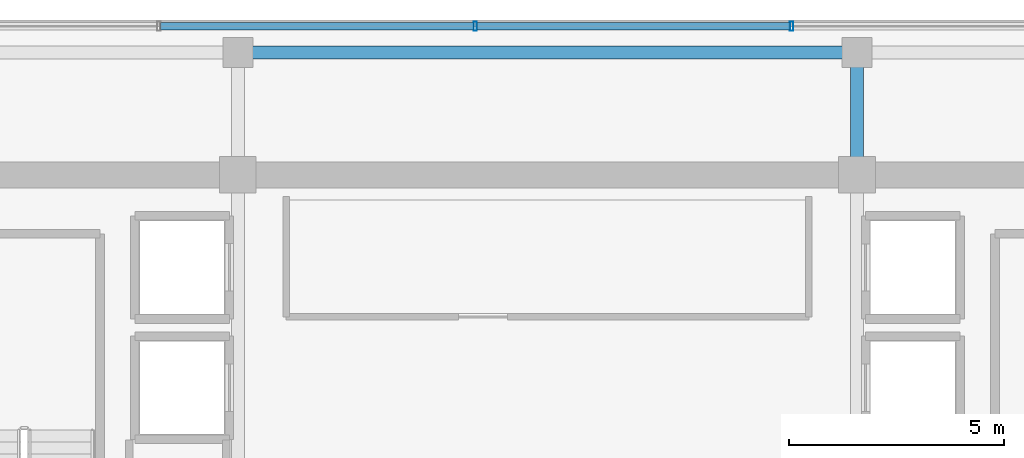
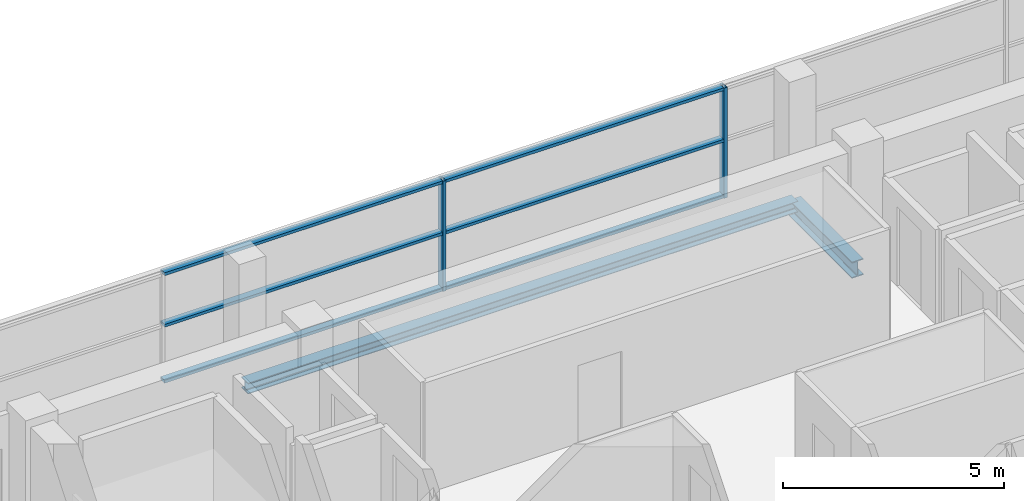
# One storey, part 12 of 21: 8 members, 2 beams, 1 element without a shape of its own.
"""IFC4 building model written with IfcOpenShell, lengths in metres."""

import ifcopenshell
import ifcopenshell.guid

model = None  # the IFC model being written
_history = None  # IfcOwnerHistory: only IFC2X3 demands one
_inside = {}  # id of a spatial element -> (the spatial element, [elements in it])
_under = {}  # id of a project, library or spatial element -> (it, [spatial elements below it])
_declared = {}  # id of a project -> (the project, [libraries it declares])
_typed = {}  # id of a type object -> (the type object, [elements of that type])
_made_of = {}  # id of a material, layer set ... -> (it, [elements and type objects made of it])


def new_model(schema):
    """Start an empty IFC model of exactly this schema.

    Asked for "IFC4X3", IfcOpenShell would pick the latest addendum, in which some entities
    have other attributes; the version numbers below select the first issue.
    IFC2X3 requires an IfcOwnerHistory on every rooted entity: one is made here for all.
    """
    global model, _history
    if schema == "IFC4X3":
        model = ifcopenshell.file(schema_version=(4, 3, 0, 0))
    else:
        model = ifcopenshell.file(schema=schema)
    _inside.clear()
    _under.clear()
    _declared.clear()
    _typed.clear()
    _made_of.clear()
    _history = None
    if model.schema == "IFC2X3":
        org = make("IfcOrganization", Name="unknown")
        user = make(
            "IfcPersonAndOrganization",
            ThePerson=make("IfcPerson", FamilyName="unknown"),
            TheOrganization=org,
        )
        app = make(
            "IfcApplication",
            ApplicationDeveloper=org,
            Version="unknown",
            ApplicationFullName="unknown",
            ApplicationIdentifier="unknown",
        )
        _history = make(
            "IfcOwnerHistory",
            OwningUser=user,
            OwningApplication=app,
            ChangeAction="ADDED",
            CreationDate=0,
        )
    return model


def make(cls, **values):
    """One entity of the class cls with the attributes given. An attribute that is None is left unset."""
    return model.create_entity(
        cls, **{name: value for name, value in values.items() if value is not None}
    )


def rooted(cls, **values):
    """An entity with a GlobalId (a new one), such as an element, a storey or a relation."""
    return make(cls, GlobalId=ifcopenshell.guid.new(), OwnerHistory=_history, **values)


def si_unit(unit_type, name, prefix=None):
    """IfcSIUnit, for example si_unit("LENGTHUNIT", "METRE", prefix="MILLI")."""
    return make("IfcSIUnit", UnitType=unit_type, Prefix=prefix, Name=name)


def assignment(units):
    """IfcUnitAssignment: the units of a project."""
    return None if units is None else make("IfcUnitAssignment", Units=units)


def point(xyz):
    """IfcCartesianPoint."""
    return None if xyz is None else make("IfcCartesianPoint", Coordinates=xyz)


def direction(xyz):
    """IfcDirection."""
    return None if xyz is None else make("IfcDirection", DirectionRatios=xyz)


def frame(location, z_axis=None, x_axis=None):
    """IfcAxis2Placement3D, a coordinate frame: its origin and axes. An axis left out is left unset."""
    return make(
        "IfcAxis2Placement3D",
        Location=point(location),
        Axis=direction(z_axis),
        RefDirection=direction(x_axis),
    )


def frame_2d(location, x_axis=None):
    """IfcAxis2Placement2D, a coordinate frame in the plane: its origin and x axis."""
    return make(
        "IfcAxis2Placement2D", Location=point(location), RefDirection=direction(x_axis)
    )


def origin():
    """The frame at (0, 0, 0) with its axes left unset."""
    return frame((0.0, 0.0, 0.0))


def origin_2d():
    """The frame at (0, 0) in the plane with its x axis left unset."""
    return frame_2d((0.0, 0.0))


def place(relative_to, where):
    """IfcLocalPlacement: puts the frame where relative to a parent placement (None: the world)."""
    return make(
        "IfcLocalPlacement", PlacementRelTo=relative_to, RelativePlacement=where
    )


def context(
    kind, dimensions, precision=None, world=None, true_north=None, identifier=None
):
    """IfcGeometricRepresentationContext, for example the 3D "Model" context."""
    return make(
        "IfcGeometricRepresentationContext",
        ContextIdentifier=identifier,
        ContextType=kind,
        CoordinateSpaceDimension=dimensions,
        Precision=precision,
        WorldCoordinateSystem=world,
        TrueNorth=true_north,
    )


def subcontext(parent, identifier, kind, view, scale=None):
    """IfcGeometricRepresentationSubContext, for example "Body" below "Model"."""
    return make(
        "IfcGeometricRepresentationSubContext",
        ContextIdentifier=identifier,
        ContextType=kind,
        ParentContext=parent,
        TargetScale=scale,
        TargetView=view,
    )


def project(units=None, contexts=None):
    """IfcProject with its units and contexts."""
    return rooted(
        "IfcProject",
        Name="project",
        RepresentationContexts=contexts,
        UnitsInContext=assignment(units),
    )


def spatial(cls, under=None, at=None, **own):
    """A site, building, storey or space (cls), placed at a placement, below another one or the project."""
    s = rooted(cls, ObjectPlacement=at, **own)
    if under is not None:
        _under.setdefault(under.id(), (under, []))[1].append(s)
    return s


def profile(cls, at=None, kind="AREA", **sizes):
    """A parametric profile (cls). Its sizes go by their IFC names, for example OverallWidth=200.0."""
    return make(cls, ProfileType=kind, Position=at, **sizes)


def hollow_rectangle(**sizes):
    """IfcRectangleHollowProfileDef."""
    return profile("IfcRectangleHollowProfileDef", **sizes)


def i_section(**sizes):
    """IfcIShapeProfileDef."""
    return profile("IfcIShapeProfileDef", **sizes)


def extrude(swept, where, along, depth):
    """IfcExtrudedAreaSolid: the profile swept, set in the frame where, extruded along a direction by depth."""
    return make(
        "IfcExtrudedAreaSolid",
        SweptArea=swept,
        Position=where,
        ExtrudedDirection=direction(along),
        Depth=depth,
    )


def shape(context_of_items, identifier, shape_type, items):
    """IfcShapeRepresentation: the items that make up one representation, for example the "Body"."""
    return make(
        "IfcShapeRepresentation",
        ContextOfItems=context_of_items,
        RepresentationIdentifier=identifier,
        RepresentationType=shape_type,
        Items=items,
    )


def source(mapping_origin, context_of_items, identifier, shape_type, items):
    """IfcRepresentationMap: a shape defined once, which mapped items show again and again."""
    return make(
        "IfcRepresentationMap",
        MappingOrigin=mapping_origin,
        MappedRepresentation=shape(context_of_items, identifier, shape_type, items),
    )


def transform(
    local_origin,
    x_axis=None,
    y_axis=None,
    z_axis=None,
    scale=None,
    scale2=None,
    scale3=None,
    uniform=True,
):
    """IfcCartesianTransformationOperator3D, or its non-uniform kind. x_axis, y_axis, z_axis: its Axis1, 2, 3."""
    if uniform:
        return make(
            "IfcCartesianTransformationOperator3D",
            Axis1=direction(x_axis),
            Axis2=direction(y_axis),
            LocalOrigin=point(local_origin),
            Scale=scale,
            Axis3=direction(z_axis),
        )
    return make(
        "IfcCartesianTransformationOperator3DnonUniform",
        Axis1=direction(x_axis),
        Axis2=direction(y_axis),
        LocalOrigin=point(local_origin),
        Scale=scale,
        Axis3=direction(z_axis),
        Scale2=scale2,
        Scale3=scale3,
    )


def mapped(mapping_source, mapping_target):
    """IfcMappedItem: shows the shape of a source again, moved by a transform."""
    return make(
        "IfcMappedItem", MappingSource=mapping_source, MappingTarget=mapping_target
    )


def material(Name=None, Category=None):
    """IfcMaterial."""
    return make("IfcMaterial", Name=Name, Category=Category)


def layer(
    of_material, thickness, ventilated=None, Name=None, Category=None, Priority=None
):
    """IfcMaterialLayer: one layer of a wall or slab, of a material (None: an air gap)."""
    return make(
        "IfcMaterialLayer",
        Material=of_material,
        LayerThickness=thickness,
        IsVentilated=ventilated,
        Name=Name,
        Category=Category,
        Priority=Priority,
    )


def layer_set(layers, Name=None):
    """IfcMaterialLayerSet."""
    return make("IfcMaterialLayerSet", MaterialLayers=layers, LayerSetName=Name)


def material_profile(
    of_material, cross_section, Name=None, Category=None, Priority=None
):
    """IfcMaterialProfile: a cross section and its material."""
    return make(
        "IfcMaterialProfile",
        Name=Name,
        Material=of_material,
        Profile=cross_section,
        Priority=Priority,
        Category=Category,
    )


def profile_set(profiles, Name=None, composite=None):
    """IfcMaterialProfileSet."""
    return make(
        "IfcMaterialProfileSet",
        Name=Name,
        MaterialProfiles=profiles,
        CompositeProfile=composite,
    )


def made_of(thing, what):
    """Note that an element or type object is made of a material, layer set ...; save() writes the relation."""
    if what is not None:
        _made_of.setdefault(what.id(), (what, []))[1].append(thing)
    return thing


def type_object(cls, material=None, **own):
    """A type object (cls), such as IfcWallType, which elements share."""
    return made_of(rooted(cls, **own), material)


def element(
    cls,
    number,
    at=None,
    inside=None,
    cuts=None,
    type_object=None,
    material=None,
    context=None,
    identifier="Body",
    shape_type=None,
    held_by="IfcProductDefinitionShape",
    body=None,
    shapes=None,
    **own,
):
    """One element of the class cls, such as IfcWall. Its Tag is "e" and its number.

    at: its placement. inside: the storey or other place that contains it. cuts: it is an
    opening in that element (IfcRelVoidsElement). A single representation is given by context,
    identifier, shape_type and body (its items); several are given by shapes. held_by: the class
    of the entity that holds the representations. save() writes the other relations.
    """
    e = rooted(cls, Tag="e%d" % number, ObjectPlacement=at, **own)
    if body is not None:
        shapes = [shape(context, identifier, shape_type, body)]
    if shapes is not None:
        e.Representation = make(held_by, Representations=shapes)
    if inside is not None:
        _inside.setdefault(inside.id(), (inside, []))[1].append(e)
    if cuts is not None:
        rooted(
            "IfcRelVoidsElement", RelatingBuildingElement=cuts, RelatedOpeningElement=e
        )
    if type_object is not None:
        _typed.setdefault(type_object.id(), (type_object, []))[1].append(e)
    return made_of(e, material)


def aggregate(whole, parts):
    """IfcRelAggregates: a whole, such as a stair, and the parts it consists of."""
    return rooted("IfcRelAggregates", RelatingObject=whole, RelatedObjects=parts)


def save(model, path):
    """Write the relations noted so far, then the file.

    IfcRelAggregates (storeys below a building ...), IfcRelContainedInSpatialStructure (elements
    in a storey), IfcRelDefinesByType, IfcRelAssociatesMaterial and IfcRelDeclares: one each for
    every whole, place, type object, material and project.
    """
    for whole, parts in _under.values():
        aggregate(whole, parts)
    for where, things in _inside.values():
        rooted(
            "IfcRelContainedInSpatialStructure",
            RelatedElements=things,
            RelatingStructure=where,
        )
    for kind, things in _typed.values():
        rooted("IfcRelDefinesByType", RelatedObjects=things, RelatingType=kind)
    for what, things in _made_of.values():
        rooted("IfcRelAssociatesMaterial", RelatedObjects=things, RelatingMaterial=what)
    for by, libraries in _declared.values():
        rooted("IfcRelDeclares", RelatingContext=by, RelatedDefinitions=libraries)
    model.write(path)


model = new_model("IFC4")

# Units and contexts
model_context = context("Model", 3, precision=1e-05, world=origin(), true_north=direction((0.0, 1.0)))
body_context = subcontext(model_context, "Body", "Model", "MODEL_VIEW")
ifc_project = project(units=[si_unit("LENGTHUNIT", "METRE"), si_unit("AREAUNIT", "SQUARE_METRE"), si_unit("VOLUMEUNIT", "CUBIC_METRE"), si_unit("PLANEANGLEUNIT", "RADIAN"), si_unit("MASSUNIT", "GRAM", prefix="KILO")], contexts=[model_context])

# Site, building, storey
site_placement = place(None, origin())
site = spatial("IfcSite", under=ifc_project, at=site_placement, CompositionType="ELEMENT")
building_placement = place(site_placement, origin())
building = spatial("IfcBuilding", under=site, at=building_placement, Name="Zarnakvel Exchange Tower", CompositionType="ELEMENT")
storey_placement = place(building_placement, frame((0.0, 0.0, 255.10009765625)))
storey = spatial("IfcBuildingStorey", under=building, at=storey_placement, Name="L72", CompositionType="ELEMENT", Elevation=255.10009765625)

# Beams
ifc_material_1 = material(Name="Steel S355", Category="steel")
ifc_material_profile_1 = material_profile(ifc_material_1, i_section(OverallWidth=0.300048828125, OverallDepth=0.449951171875, WebThickness=0.013916015625, FlangeThickness=0.02587890625, FilletRadius=0.027099609375, at=origin_2d()))
ifc_profile_set_1 = profile_set([ifc_material_profile_1], Name="Steel S355")
beam_type_1 = type_object("IfcBeamType", Name="G-07", PredefinedType="BEAM", material=ifc_profile_set_1)
beam_1_placement = place(storey_placement, frame((7.199951171875, 13.5, -0.4501953125), z_axis=(0.0, 1.0, 0.0), x_axis=(-1.0, 0.0, 0.0)))
element("IfcBeam", 1, at=beam_1_placement, inside=storey, type_object=beam_type_1, Name="L72 Tower N-S Frame Beam", PredefinedType="BEAM", context=body_context, shape_type="SweptSolid", body=[
    extrude(i_section(OverallWidth=0.300048828125, OverallDepth=0.449951171875, WebThickness=0.013916015625, FlangeThickness=0.02587890625, FilletRadius=0.027099609375, at=origin_2d()), origin(), (0.0, 0.0, 1.0), 2.85009765625),
])
ifc_material_profile_2 = material_profile(ifc_material_1, i_section(OverallWidth=0.300048828125, OverallDepth=0.300048828125, WebThickness=0.010986328125, FlangeThickness=0.01904296875, FilletRadius=0.027099609375, at=origin_2d()))
ifc_profile_set_2 = profile_set([ifc_material_profile_2], Name="Steel S355")
beam_type_2 = type_object("IfcBeamType", Name="SP-03", PredefinedType="SPANDREL", material=ifc_profile_set_2)
beam_2_placement = place(storey_placement, frame((-7.199951171875, 16.35009765625, -0.375), z_axis=(1.0, 0.0, 0.0), x_axis=(0.0, 1.0, 0.0)))
element("IfcBeam", 2, at=beam_2_placement, inside=storey, type_object=beam_type_2, Name="L72 Tower E-W Frame Beam", PredefinedType="SPANDREL", context=body_context, shape_type="SweptSolid", body=[
    extrude(i_section(OverallWidth=0.300048828125, OverallDepth=0.300048828125, WebThickness=0.010986328125, FlangeThickness=0.01904296875, FilletRadius=0.027099609375, at=origin_2d()), origin(), (0.0, 0.0, 1.0), 14.39990234375),
])

# Curtain wall, members
ifc_material_2 = material(Name="Architectural Bronze Anodised Aluminium", Category="aluminium")
ifc_layer = layer(ifc_material_2, 0.219970703125)
ifc_layer_set = layer_set([ifc_layer], Name="Architectural Bronze Anodised Aluminium")
curtain_wall_type = type_object("IfcCurtainWallType", Name="CW-03", PredefinedType="NOTDEFINED", material=ifc_layer_set)
curtain_wall_placement = place(storey_placement, origin())
curtain_wall = element("IfcCurtainWall", 3, at=curtain_wall_placement, inside=storey, type_object=curtain_wall_type, Name="L72 Curtain Wall CW-L72-N1 (CW-03)", PredefinedType="NOTDEFINED")
ifc_material_profile_3 = material_profile(ifc_material_2, hollow_rectangle(XDim=0.219970703125, YDim=0.080078125, WallThickness=0.0048828125, at=origin_2d()))
ifc_profile_set_3 = profile_set([ifc_material_profile_3], Name="Architectural Bronze Anodised Aluminium")
member_type_1 = type_object("IfcMemberType", Name="CWM-03", PredefinedType="MULLION", material=ifc_profile_set_3)
shared_shape_1 = source(origin(), body_context, "Body", "SweptSolid", [
    extrude(hollow_rectangle(XDim=0.219970703125, YDim=0.080078125, WallThickness=0.0048828125, at=origin_2d()), origin(), (0.0, 0.0, 1.0), 3.054931640625),
])
member_1_placement = place(storey_placement, frame((-1.679931640625, 16.9599609375, 0.0), z_axis=(0.0, 0.0, 1.0), x_axis=(0.0, 1.0, 0.0)))
member_1 = element("IfcMember", 4, at=member_1_placement, type_object=member_type_1, Name="CW-03 mullion 3", PredefinedType="MULLION", context=body_context, shape_type="MappedRepresentation", body=[
    mapped(shared_shape_1, transform((0.0, 0.0, 0.0), x_axis=(1.0, 0.0, 0.0), y_axis=(0.0, 1.0, 0.0), z_axis=(0.0, 0.0, 1.0), scale=1.0)),
])
member_2_placement = place(storey_placement, frame((5.679931640625, 16.9599609375, 0.0), z_axis=(0.0, 0.0, 1.0), x_axis=(0.0, 1.0, 0.0)))
member_2 = element("IfcMember", 5, at=member_2_placement, type_object=member_type_1, Name="CW-03 mullion 4", PredefinedType="MULLION", context=body_context, shape_type="MappedRepresentation", body=[
    mapped(shared_shape_1, transform((0.0, 0.0, 0.0), x_axis=(1.0, 0.0, 0.0), y_axis=(0.0, 1.0, 0.0), z_axis=(0.0, 0.0, 1.0), scale=1.0)),
])
ifc_material_profile_4 = material_profile(ifc_material_2, hollow_rectangle(XDim=0.179931640625, YDim=0.080078125, WallThickness=0.00390625, at=origin_2d()))
ifc_profile_set_4 = profile_set([ifc_material_profile_4], Name="Architectural Bronze Anodised Aluminium")
member_type_2 = type_object("IfcMemberType", Name="CWT-03", PredefinedType="USERDEFINED", material=ifc_profile_set_4)
shared_shape_2 = source(origin(), body_context, "Body", "SweptSolid", [
    extrude(hollow_rectangle(XDim=0.179931640625, YDim=0.080078125, WallThickness=0.00390625, at=origin_2d()), origin(), (0.0, 0.0, 1.0), 7.280029296875),
])
member_3_placement = place(storey_placement, frame((-9.0, 16.9599609375, 0.039794921875), z_axis=(1.0, 0.0, 0.0), x_axis=(0.0, 1.0, 0.0)))
member_3 = element("IfcMember", 6, at=member_3_placement, type_object=member_type_2, Name="CW-03 transom 2.1", ObjectType="TRANSOM", PredefinedType="USERDEFINED", context=body_context, shape_type="MappedRepresentation", body=[
    mapped(shared_shape_2, transform((0.0, 0.0, 0.0), x_axis=(1.0, 0.0, 0.0), y_axis=(0.0, 1.0, 0.0), z_axis=(0.0, 0.0, 1.0), scale=1.0)),
])
member_4_placement = place(storey_placement, frame((-9.0, 16.9599609375, 1.588623046875), z_axis=(1.0, 0.0, 0.0), x_axis=(0.0, 1.0, 0.0)))
member_4 = element("IfcMember", 7, at=member_4_placement, type_object=member_type_2, Name="CW-03 transom 2.2", ObjectType="TRANSOM", PredefinedType="USERDEFINED", context=body_context, shape_type="MappedRepresentation", body=[
    mapped(shared_shape_2, transform((0.0, 0.0, 0.0), x_axis=(1.0, 0.0, 0.0), y_axis=(0.0, 1.0, 0.0), z_axis=(0.0, 0.0, 1.0), scale=1.0)),
])
member_5_placement = place(storey_placement, frame((-9.0, 16.9599609375, 3.014892578125), z_axis=(1.0, 0.0, 0.0), x_axis=(0.0, 1.0, 0.0)))
member_5 = element("IfcMember", 8, at=member_5_placement, type_object=member_type_2, Name="CW-03 transom 2.3", ObjectType="TRANSOM", PredefinedType="USERDEFINED", context=body_context, shape_type="MappedRepresentation", body=[
    mapped(shared_shape_2, transform((0.0, 0.0, 0.0), x_axis=(1.0, 0.0, 0.0), y_axis=(0.0, 1.0, 0.0), z_axis=(0.0, 0.0, 1.0), scale=1.0)),
])
shared_shape_3 = source(origin(), body_context, "Body", "SweptSolid", [
    extrude(hollow_rectangle(XDim=0.179931640625, YDim=0.080078125, WallThickness=0.00390625, at=origin_2d()), origin(), (0.0, 0.0, 1.0), 7.27978515625),
])
member_6_placement = place(storey_placement, frame((-1.639892578125, 16.9599609375, 0.039794921875), z_axis=(1.0, 0.0, 0.0), x_axis=(0.0, 1.0, 0.0)))
member_6 = element("IfcMember", 9, at=member_6_placement, type_object=member_type_2, Name="CW-03 transom 3.1", ObjectType="TRANSOM", PredefinedType="USERDEFINED", context=body_context, shape_type="MappedRepresentation", body=[
    mapped(shared_shape_3, transform((0.0, 0.0, 0.0), x_axis=(1.0, 0.0, 0.0), y_axis=(0.0, 1.0, 0.0), z_axis=(0.0, 0.0, 1.0), scale=1.0)),
])
member_7_placement = place(storey_placement, frame((-1.639892578125, 16.9599609375, 1.588623046875), z_axis=(1.0, 0.0, 0.0), x_axis=(0.0, 1.0, 0.0)))
member_7 = element("IfcMember", 10, at=member_7_placement, type_object=member_type_2, Name="CW-03 transom 3.2", ObjectType="TRANSOM", PredefinedType="USERDEFINED", context=body_context, shape_type="MappedRepresentation", body=[
    mapped(shared_shape_3, transform((0.0, 0.0, 0.0), x_axis=(1.0, 0.0, 0.0), y_axis=(0.0, 1.0, 0.0), z_axis=(0.0, 0.0, 1.0), scale=1.0)),
])
member_8_placement = place(storey_placement, frame((-1.639892578125, 16.9599609375, 3.014892578125), z_axis=(1.0, 0.0, 0.0), x_axis=(0.0, 1.0, 0.0)))
member_8 = element("IfcMember", 11, at=member_8_placement, type_object=member_type_2, Name="CW-03 transom 3.3", ObjectType="TRANSOM", PredefinedType="USERDEFINED", context=body_context, shape_type="MappedRepresentation", body=[
    mapped(shared_shape_3, transform((0.0, 0.0, 0.0), x_axis=(1.0, 0.0, 0.0), y_axis=(0.0, 1.0, 0.0), z_axis=(0.0, 0.0, 1.0), scale=1.0)),
])
aggregate(curtain_wall, [member_1, member_2, member_3, member_4, member_5, member_6, member_7, member_8])

save(model, "model.ifc")
